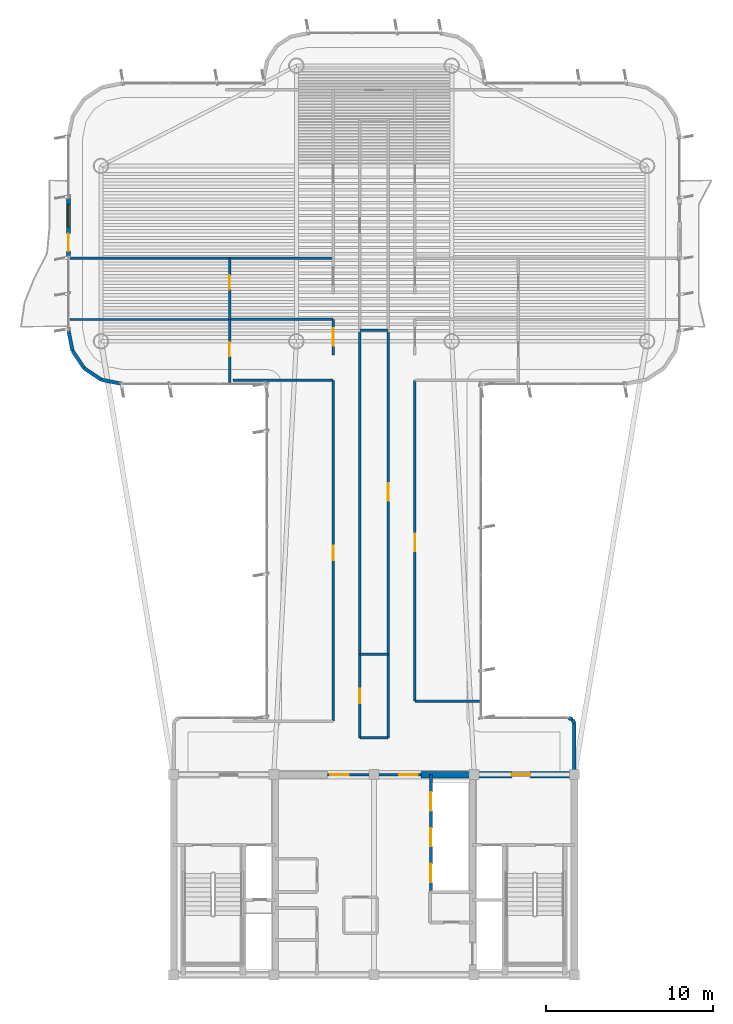
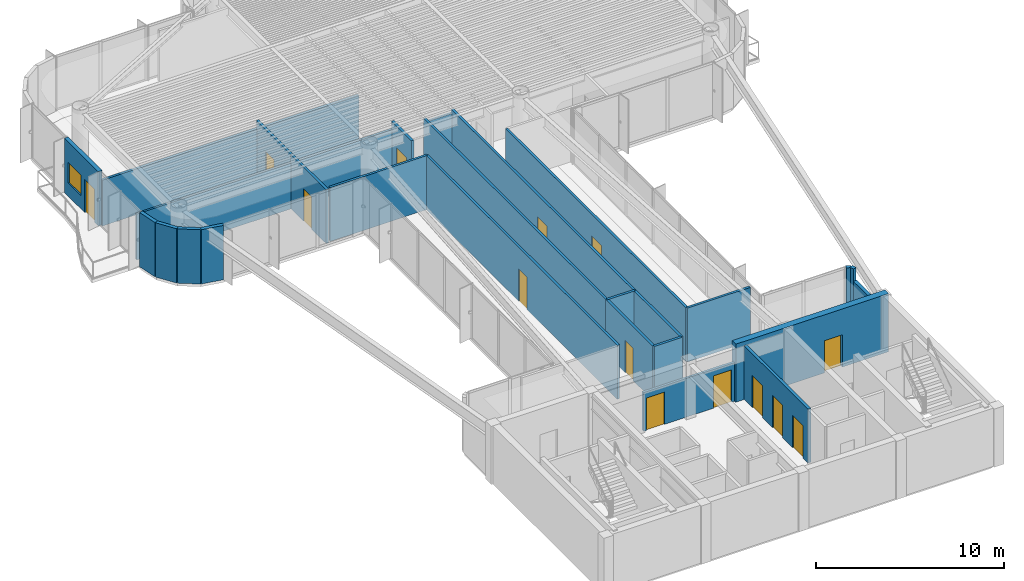
# One storey, part 11 of 15: 28 walls, 14 doors, 1 window, 15 openings.
"""IFC4 building model written with IfcOpenShell, lengths in metres."""

from ifc_helpers import new_model, si_unit, direction, frame, frame_2d, origin, origin_2d, place, context, subcontext, project, spatial, rectangle, extrude, source, transform, mapped, material, layer, layer_set, type_object, element, fill, save


model = new_model("IFC4")

# Units and contexts
model_context = context("Model", 3, precision=1e-05, world=origin(), true_north=direction((0.0, 1.0)))
body_context = subcontext(model_context, "Body", "Model", "MODEL_VIEW")
ifc_project = project(units=[si_unit("LENGTHUNIT", "METRE"), si_unit("AREAUNIT", "SQUARE_METRE"), si_unit("VOLUMEUNIT", "CUBIC_METRE"), si_unit("PLANEANGLEUNIT", "RADIAN"), si_unit("MASSUNIT", "GRAM", prefix="KILO")], contexts=[model_context])

# Site, building, storey
site_placement = place(None, origin())
site = spatial("IfcSite", under=ifc_project, at=site_placement, CompositionType="ELEMENT")
building_placement = place(site_placement, origin())
building = spatial("IfcBuilding", under=site, at=building_placement, Name="Brelvock Crest Care Tower", CompositionType="ELEMENT")
storey_placement = place(building_placement, frame((0.0, 0.0, 245.699951171875)))
storey = spatial("IfcBuildingStorey", under=building, at=storey_placement, Name="L62", CompositionType="ELEMENT", Elevation=245.699951171875)

# Wall, opening, door
ifc_material_1 = material(Name="Concrete S65 (65 MPa)", Category="concrete")
ifc_layer_1 = layer(ifc_material_1, 0.39990234375, Name="WL-CS4")
ifc_layer_set_1 = layer_set([ifc_layer_1], Name="Concrete S65 (65 MPa)")
wall_type_1 = type_object("IfcWallType", Name="WL-CS4", PredefinedType="SHEAR", material=ifc_layer_set_1)
wall_1_placement = place(storey_placement, frame((38.800048828125, 18.0, 0.0), z_axis=(0.0, 0.0, 1.0), x_axis=(1.0, 0.0, 0.0)))
wall_1 = element("IfcWall", 1, at=wall_1_placement, inside=storey, type_object=wall_type_1, Name="L62 Core North-East Shear Wall", PredefinedType="SHEAR", context=body_context, shape_type="SweptSolid", body=[
    extrude(rectangle(XDim=9.39990234375, YDim=0.39990234375, at=frame_2d((4.699951171875, 0.0))), origin(), (0.0, 0.0, 1.0), 3.780029296875),
])
opening_1_placement = place(wall_1_placement, frame((5.449951171875, 0.0, 0.0)))
opening_1 = element("IfcOpeningElement", 2, at=opening_1_placement, cuts=wall_1, Name="Opening FD-1", PredefinedType="OPENING", context=body_context, shape_type="SweptSolid", body=[
    extrude(rectangle(XDim=1.10009765625, YDim=2.10009765625, at=origin_2d()), frame((0.550048828125, 0.2099609375, 1.050048828125), z_axis=(0.0, -1.0, 0.0), x_axis=(1.0, 0.0, 0.0)), (0.0, 0.0, 1.0), 0.419921875),
])
ifc_material_2 = material(Name="Steel Grade 350", Category="steel")
door_type_1 = type_object("IfcDoorType", Name="DR-FFL1", OperationType="NOTDEFINED", PredefinedType="DOOR", material=ifc_material_2)
shared_shape_1 = source(origin(), body_context, "Body", "SweptSolid", [
    extrude(rectangle(XDim=1.10009765625, YDim=2.10009765625, at=origin_2d()), frame((0.550048828125, 0.02490234375, 1.050048828125), z_axis=(0.0, -1.0, 0.0), x_axis=(1.0, 0.0, 0.0)), (0.0, 0.0, 1.0), 0.050048828125),
])
door_1_placement = place(opening_1_placement, origin())
door_1 = element("IfcDoor", 3, at=door_1_placement, inside=storey, type_object=door_type_1, Name="L62 Firefighting Lobby FFL-2 Exit Door", OperationType="SINGLE_SWING_RIGHT", OverallHeight=2.10009765625, OverallWidth=1.10009765625, PredefinedType="DOOR", context=body_context, shape_type="MappedRepresentation", body=[
    mapped(shared_shape_1, transform((0.0, 0.0, 0.0), x_axis=(1.0, 0.0, 0.0), y_axis=(0.0, 1.0, 0.0), z_axis=(0.0, 0.0, 1.0), scale=1.0)),
])
fill(opening_1, door_1)

# Wall, openings, door, window
ifc_material_3 = material(Name="Precast concrete N40 (40 MPa)", Category="concrete")
ifc_layer_2 = layer(ifc_material_3, 0.239990234375, Name="WL-EX1")
ifc_layer_set_2 = layer_set([ifc_layer_2], Name="Precast concrete N40 (40 MPa)")
wall_type_2 = type_object("IfcWallType", Name="WL-EX1", PredefinedType="SOLIDWALL", material=ifc_layer_set_2)
wall_2_placement = place(storey_placement, frame((17.699951171875, 48.949951171875, 0.0), z_axis=(0.0, 0.0, 1.0), x_axis=(0.0, 1.0, 0.0)))
wall_2 = element("IfcWall", 4, at=wall_2_placement, inside=storey, type_object=wall_type_2, Name="L62 Exterior Spandrel Wall WL-BAL-L62-W", PredefinedType="SOLIDWALL", context=body_context, shape_type="SweptSolid", body=[
    extrude(rectangle(XDim=3.60009765625, YDim=0.239990234375, at=frame_2d((1.800048828125, 0.0))), origin(), (0.0, 0.0, 1.0), 3.530029296875),
])
opening_2_placement = place(wall_2_placement, frame((0.39990234375, 0.0, 0.0)))
opening_2 = element("IfcOpeningElement", 5, at=opening_2_placement, cuts=wall_2, Name="Opening BD-1", PredefinedType="OPENING", context=body_context, shape_type="SweptSolid", body=[
    extrude(rectangle(XDim=1.050048828125, YDim=2.14990234375, at=origin_2d()), frame((0.52490234375, 0.1298828125, 1.074951171875), z_axis=(0.0, -1.0, 0.0), x_axis=(1.0, 0.0, 0.0)), (0.0, 0.0, 1.0), 0.260009765625),
])
opening_3_placement = place(wall_2_placement, frame((1.85009765625, 0.0, 0.85009765625)))
opening_3 = element("IfcOpeningElement", 6, at=opening_3_placement, cuts=wall_2, Name="Opening W-01", PredefinedType="OPENING", context=body_context, shape_type="SweptSolid", body=[
    extrude(rectangle(XDim=1.35009765625, YDim=1.35009765625, at=origin_2d()), frame((0.675048828125, 0.1298828125, 0.675048828125), z_axis=(0.0, -1.0, 0.0), x_axis=(1.0, 0.0, 0.0)), (0.0, 0.0, 1.0), 0.260009765625),
])
ifc_material_4 = material(Name="Dark Glass Double Glazed Low-E", Category="glass")
door_type_2 = type_object("IfcDoorType", Name="DR-BAL1", OperationType="NOTDEFINED", PredefinedType="DOOR", material=ifc_material_4)
shared_shape_2 = source(origin(), body_context, "Body", "SweptSolid", [
    extrude(rectangle(XDim=1.050048828125, YDim=2.14990234375, at=origin_2d()), frame((0.52490234375, 0.02490234375, 1.074951171875), z_axis=(0.0, -1.0, 0.0), x_axis=(1.0, 0.0, 0.0)), (0.0, 0.0, 1.0), 0.050048828125),
])
door_2_placement = place(opening_2_placement, origin())
door_2 = element("IfcDoor", 7, at=door_2_placement, inside=storey, type_object=door_type_2, Name="L62 W Wave Balcony Glazed Door", OperationType="SINGLE_SWING_LEFT", OverallHeight=2.14990234375, OverallWidth=1.050048828125, PredefinedType="DOOR", context=body_context, shape_type="MappedRepresentation", body=[
    mapped(shared_shape_2, transform((0.0, 0.0, 0.0), x_axis=(1.0, 0.0, 0.0), y_axis=(0.0, 1.0, 0.0), z_axis=(0.0, 0.0, 1.0), scale=1.0)),
])
fill(opening_2, door_2)
window_type = type_object("IfcWindowType", Name="WN-EX1", PartitioningType="SINGLE_PANEL", PredefinedType="WINDOW", material=ifc_material_4)
shared_shape_3 = source(origin(), body_context, "Body", "SweptSolid", [
    extrude(rectangle(XDim=1.35009765625, YDim=1.35009765625, at=origin_2d()), frame((0.675048828125, 0.030029296875, 0.675048828125), z_axis=(0.0, -1.0, 0.0), x_axis=(1.0, 0.0, 0.0)), (0.0, 0.0, 1.0), 0.06005859375),
])
window_placement = place(opening_3_placement, origin())
window = element("IfcWindow", 8, at=window_placement, inside=storey, type_object=window_type, Name="L62 W Suite Casement Window", OverallHeight=1.35009765625, OverallWidth=1.35009765625, PartitioningType="SINGLE_PANEL", PredefinedType="WINDOW", context=body_context, shape_type="MappedRepresentation", body=[
    mapped(shared_shape_3, transform((0.0, 0.0, 0.0), x_axis=(1.0, 0.0, 0.0), y_axis=(0.0, 1.0, 0.0), z_axis=(0.0, 0.0, 1.0), scale=1.0)),
])
fill(opening_3, window)

# Walls
ifc_layer_3 = layer(ifc_material_3, 0.215087890625, Name="WL-EX2")
ifc_layer_set_3 = layer_set([ifc_layer_3], Name="Precast concrete N40 (40 MPa)")
wall_type_3 = type_object("IfcWallType", Name="WL-EX2", PredefinedType="SOLIDWALL", material=ifc_layer_set_3)
wall_3_placement = place(storey_placement, frame((47.8974609375, 21.297607421875, 0.0), z_axis=(0.0, 0.0, 1.0), x_axis=(0.382673670509, -0.923883575944, 0.0)))
element("IfcWall", 9, at=wall_3_placement, inside=storey, type_object=wall_type_3, Name="L62 Rounded Corner Wall 00", PredefinedType="SOLIDWALL", context=body_context, shape_type="SweptSolid", body=[
    extrude(rectangle(XDim=0.26806640625, YDim=0.215087890625, at=frame_2d((0.134033203125, 0.0))), origin(), (0.0, 0.0, 1.0), 3.530029296875),
])
wall_4_placement = place(storey_placement, frame((48.0, 21.050048828125, 0.0), z_axis=(0.0, 0.0, 1.0), x_axis=(0.0, -1.0, 0.0)))
element("IfcWall", 10, at=wall_4_placement, inside=storey, type_object=wall_type_3, Name="L62 Rounded Corner Wall 01", PredefinedType="SOLIDWALL", context=body_context, shape_type="SweptSolid", body=[
    extrude(rectangle(XDim=2.77001953125, YDim=0.215087890625, at=frame_2d((1.385009765625, 0.0))), origin(), (0.0, 0.0, 1.0), 2.718017578125),
])
for number, where, z_axis, x_axis, name in (
    (11, (20.89990234375, 41.39990234375, 0.0), (0.0, 0.0, 1.0), (-0.980775717779, 0.195138390419, 0.0), "L62 Rounded Corner Wall 13"),
    (12, (19.67529296875, 41.6435546875, 0.0), (0.0, 0.0, 1.0), (-0.831387912822, 0.555692485475, 0.0), "L62 Rounded Corner Wall 14"),
    (13, (18.63720703125, 42.33740234375, 0.0), (0.0, 0.0, 1.0), (-0.555557312883, 0.831478245117, 0.0), "L62 Rounded Corner Wall 15"),
    (14, (17.943603515625, 43.37548828125, 0.0), (0.0, 0.0, 1.0), (-0.195138390419, 0.980775717779, 0.0), "L62 Rounded Corner Wall 16"),
):
    element("IfcWall", number, at=place(storey_placement, frame(where, z_axis=z_axis, x_axis=x_axis)), inside=storey, type_object=wall_type_3, Name=name, PredefinedType="SOLIDWALL", context=body_context, shape_type="SweptSolid", body=[
        extrude(rectangle(XDim=1.24853515625, YDim=0.215087890625, at=frame_2d((0.624267578125, 0.0))), origin(), (0.0, 0.0, 1.0), 3.530029296875),
    ])
wall_5_placement = place(storey_placement, frame((47.64990234375, 21.39990234375, 0.0), z_axis=(0.0, 0.0, 1.0), x_axis=(0.924205486139, -0.381895560841, 0.0)))
element("IfcWall", 15, at=wall_5_placement, inside=storey, type_object=wall_type_3, Name="L62 Rounded Corner Wall 47", PredefinedType="SOLIDWALL", context=body_context, shape_type="SweptSolid", body=[
    extrude(rectangle(XDim=0.267822265625, YDim=0.215087890625, at=frame_2d((0.1337890625, 0.0))), origin(), (0.0, 0.0, 1.0), 3.530029296875),
])

# Wall, openings, doors
ifc_material_5 = material(Name="Masonry Blockwork Acoustic Partition", Category="masonry")
ifc_layer_4 = layer(ifc_material_5, 0.14990234375, Name="WL-INT1")
ifc_layer_set_4 = layer_set([ifc_layer_4], Name="Masonry Blockwork Acoustic Partition")
wall_type_4 = type_object("IfcWallType", Name="WL-INT1", PredefinedType="PARTITIONING", material=ifc_layer_set_4)
wall_6_placement = place(storey_placement, frame((33.199951171875, 18.0, 0.0), z_axis=(0.0, 0.0, 1.0), x_axis=(1.0, 0.0, 0.0)))
wall_6 = element("IfcWall", 16, at=wall_6_placement, inside=storey, type_object=wall_type_4, Name="L62 Interior Wall WL-CORE-NPORT-L62", PredefinedType="PARTITIONING", context=body_context, shape_type="SweptSolid", body=[
    extrude(rectangle(XDim=5.60009765625, YDim=0.14990234375, at=frame_2d((2.800048828125, 0.0))), origin(), (0.0, 0.0, 1.0), 2.51513671875),
])
opening_4_placement = place(wall_6_placement, frame((0.18994140625, 0.0, 0.0)))
opening_4 = element("IfcOpeningElement", 17, at=opening_4_placement, cuts=wall_6, Name="Opening FD-1", PredefinedType="OPENING", context=body_context, shape_type="SweptSolid", body=[
    extrude(rectangle(XDim=1.10009765625, YDim=2.10009765625, at=origin_2d()), frame((0.550048828125, 0.0849609375, 1.050048828125), z_axis=(0.0, -1.0, 0.0), x_axis=(1.0, 0.0, 0.0)), (0.0, 0.0, 1.0), 0.169921875),
])
opening_5_placement = place(wall_6_placement, frame((4.31005859375, 0.0, 0.0)))
opening_5 = element("IfcOpeningElement", 18, at=opening_5_placement, cuts=wall_6, Name="Opening FD-1", PredefinedType="OPENING", context=body_context, shape_type="SweptSolid", body=[
    extrude(rectangle(XDim=1.10009765625, YDim=2.10009765625, at=origin_2d()), frame((0.550048828125, 0.0849609375, 1.050048828125), z_axis=(0.0, -1.0, 0.0), x_axis=(1.0, 0.0, 0.0)), (0.0, 0.0, 1.0), 0.169921875),
])
door_3_placement = place(opening_4_placement, origin())
door_3 = element("IfcDoor", 19, at=door_3_placement, inside=storey, type_object=door_type_1, Name="L62 Lift Lobby North Smoke Door West", OperationType="SINGLE_SWING_LEFT", OverallHeight=2.10009765625, OverallWidth=1.10009765625, PredefinedType="DOOR", context=body_context, shape_type="MappedRepresentation", body=[
    mapped(shared_shape_1, transform((0.0, 0.0, 0.0), x_axis=(1.0, 0.0, 0.0), y_axis=(0.0, 1.0, 0.0), z_axis=(0.0, 0.0, 1.0), scale=1.0)),
])
fill(opening_4, door_3)
door_4_placement = place(opening_5_placement, origin())
door_4 = element("IfcDoor", 20, at=door_4_placement, inside=storey, type_object=door_type_1, Name="L62 Lift Lobby North Smoke Door East", OperationType="SINGLE_SWING_RIGHT", OverallHeight=2.10009765625, OverallWidth=1.10009765625, PredefinedType="DOOR", context=body_context, shape_type="MappedRepresentation", body=[
    mapped(shared_shape_1, transform((0.0, 0.0, 0.0), x_axis=(1.0, 0.0, 0.0), y_axis=(0.0, 1.0, 0.0), z_axis=(0.0, 0.0, 1.0), scale=1.0)),
])
fill(opening_5, door_4)

# Walls
wall_7_placement = place(storey_placement, frame((38.449951171875, 22.39990234375, 0.0), z_axis=(0.0, 0.0, 1.0), x_axis=(1.0, 0.0, 0.0)))
element("IfcWall", 21, at=wall_7_placement, inside=storey, type_object=wall_type_4, Name="L62 Interior Wall WL-BX-L62-THRE-S", PredefinedType="PARTITIONING", context=body_context, shape_type="SweptSolid", body=[
    extrude(rectangle(XDim=3.873291015625, YDim=0.14990234375, at=frame_2d((1.9365234375, 0.0))), origin(), (0.0, 0.0, 1.0), 3.5),
])
wall_8_placement = place(storey_placement, frame((27.557861328125, 41.60009765625, 0.0), z_axis=(0.0, 0.0, 1.0), x_axis=(1.0, 0.0, 0.0)))
element("IfcWall", 22, at=wall_8_placement, inside=storey, type_object=wall_type_4, Name="L62 Interior Wall WL-BX-L62-CS-WR1A-S", PredefinedType="PARTITIONING", context=body_context, shape_type="SweptSolid", body=[
    extrude(rectangle(XDim=5.9921875, YDim=0.14990234375, at=frame_2d((2.99609375, 0.0))), origin(), (0.0, 0.0, 1.0), 3.5),
])
wall_9_placement = place(storey_placement, frame((35.14990234375, 44.6201171875, 0.0), z_axis=(0.0, 0.0, 1.0), x_axis=(1.0, 0.0, 0.0)))
element("IfcWall", 23, at=wall_9_placement, inside=storey, type_object=wall_type_4, Name="L62 Interior Wall WL-BX-L62-ISKT-S", PredefinedType="PARTITIONING", context=body_context, shape_type="SweptSolid", body=[
    extrude(rectangle(XDim=1.7001953125, YDim=0.14990234375, at=frame_2d((0.85009765625, 0.0))), origin(), (0.0, 0.0, 1.0), 3.259033203125),
])
wall_10_placement = place(storey_placement, frame((27.35009765625, 45.25390625, 0.0), z_axis=(0.0, 0.0, 1.0), x_axis=(1.0, 0.0, 0.0)))
element("IfcWall", 24, at=wall_10_placement, inside=storey, type_object=wall_type_4, Name="L62 Interior Wall WL-BX-L62-CS-WR1A-N", PredefinedType="PARTITIONING", context=body_context, shape_type="SweptSolid", body=[
    extrude(rectangle(XDim=6.199951171875, YDim=0.14990234375, at=frame_2d((3.10009765625, 0.0))), origin(), (0.0, 0.0, 1.0), 2.98193359375),
])
wall_11_placement = place(storey_placement, frame((17.780029296875, 48.907958984375, 0.0), z_axis=(0.0, 0.0, 1.0), x_axis=(1.0, 0.0, 0.0)))
element("IfcWall", 25, at=wall_11_placement, inside=storey, type_object=wall_type_4, Name="L62 Interior Wall WL-BX-L62-WRC-S", PredefinedType="PARTITIONING", context=body_context, shape_type="SweptSolid", body=[
    extrude(rectangle(XDim=15.77001953125, YDim=0.14990234375, at=frame_2d((7.885009765625, 0.0))), origin(), (0.0, 0.0, 1.0), 2.98193359375),
])

# Wall, opening, door
wall_12_placement = place(storey_placement, frame((27.35009765625, 41.47998046875, 0.0), z_axis=(0.0, 0.0, 1.0), x_axis=(0.0, 1.0, 0.0)))
wall_12 = element("IfcWall", 26, at=wall_12_placement, inside=storey, type_object=wall_type_4, Name="L62 Interior Wall WL-RM-L62-WR1AS", PredefinedType="PARTITIONING", context=body_context, shape_type="SweptSolid", body=[
    extrude(rectangle(XDim=3.77392578125, YDim=0.14990234375, at=frame_2d((1.886962890625, 0.0))), origin(), (0.0, 0.0, 1.0), 3.5),
])
opening_6_placement = place(wall_12_placement, frame((1.56005859375, 0.0, 0.0)))
opening_6 = element("IfcOpeningElement", 27, at=opening_6_placement, cuts=wall_12, Name="Opening ID-1", PredefinedType="OPENING", context=body_context, shape_type="SweptSolid", body=[
    extrude(rectangle(XDim=0.860107421875, YDim=2.10009765625, at=origin_2d()), frame((0.43017578125, 0.0849609375, 1.050048828125), z_axis=(0.0, -1.0, 0.0), x_axis=(1.0, 0.0, 0.0)), (0.0, 0.0, 1.0), 0.169921875),
])
ifc_material_6 = material(Name="Engineered Hardwood Timber", Category="wood")
door_type_3 = type_object("IfcDoorType", Name="DR-INT1", OperationType="NOTDEFINED", PredefinedType="DOOR", material=ifc_material_6)
shared_shape_4 = source(origin(), body_context, "Body", "SweptSolid", [
    extrude(rectangle(XDim=0.860107421875, YDim=2.10009765625, at=origin_2d()), frame((0.43017578125, 0.02490234375, 1.050048828125), z_axis=(0.0, -1.0, 0.0), x_axis=(1.0, 0.0, 0.0)), (0.0, 0.0, 1.0), 0.050048828125),
])
door_5_placement = place(opening_6_placement, origin())
door_5 = element("IfcDoor", 28, at=door_5_placement, inside=storey, type_object=door_type_3, Name="L62 Rehab Recovery Mobility Store Door WR1AS", OperationType="SINGLE_SWING_LEFT", OverallHeight=2.10009765625, OverallWidth=0.860107421875, PredefinedType="DOOR", context=body_context, shape_type="MappedRepresentation", body=[
    mapped(shared_shape_4, transform((0.0, 0.0, 0.0), x_axis=(1.0, 0.0, 0.0), y_axis=(0.0, 1.0, 0.0), z_axis=(0.0, 0.0, 1.0), scale=1.0)),
])
fill(opening_6, door_5)

wall_13_placement = place(storey_placement, frame((27.35009765625, 45.25390625, 0.0), z_axis=(0.0, 0.0, 1.0), x_axis=(0.0, 1.0, 0.0)))
wall_13 = element("IfcWall", 29, at=wall_13_placement, inside=storey, type_object=wall_type_4, Name="L62 Interior Wall WL-RM-L62-WR1BS", PredefinedType="PARTITIONING", context=body_context, shape_type="SweptSolid", body=[
    extrude(rectangle(XDim=3.654052734375, YDim=0.14990234375, at=frame_2d((1.8271484375, 0.0))), origin(), (0.0, 0.0, 1.0), 3.5),
])
opening_7_placement = place(wall_13_placement, frame((1.785888671875, 0.0, 0.0)))
opening_7 = element("IfcOpeningElement", 30, at=opening_7_placement, cuts=wall_13, Name="Opening ID-1", PredefinedType="OPENING", context=body_context, shape_type="SweptSolid", body=[
    extrude(rectangle(XDim=0.860107421875, YDim=2.10009765625, at=origin_2d()), frame((0.43017578125, 0.0849609375, 1.050048828125), z_axis=(0.0, -1.0, 0.0), x_axis=(1.0, 0.0, 0.0)), (0.0, 0.0, 1.0), 0.169921875),
])
door_6_placement = place(opening_7_placement, origin())
door_6 = element("IfcDoor", 31, at=door_6_placement, inside=storey, type_object=door_type_3, Name="L62 Rehab Recovery Mobility Store Door WR1BS", OperationType="SINGLE_SWING_LEFT", OverallHeight=2.10009765625, OverallWidth=0.860107421875, PredefinedType="DOOR", context=body_context, shape_type="MappedRepresentation", body=[
    mapped(shared_shape_4, transform((0.0, 0.0, 0.0), x_axis=(1.0, 0.0, 0.0), y_axis=(0.0, 1.0, 0.0), z_axis=(0.0, 0.0, 1.0), scale=1.0)),
])
fill(opening_7, door_6)

wall_14_placement = place(storey_placement, frame((33.550048828125, 21.199951171875, 0.0), z_axis=(0.0, 0.0, 1.0), x_axis=(0.0, 1.0, 0.0)))
wall_14 = element("IfcWall", 32, at=wall_14_placement, inside=storey, type_object=wall_type_4, Name="L62 Interior Wall WL-RM-L62-THRW", PredefinedType="PARTITIONING", context=body_context, shape_type="SweptSolid", body=[
    extrude(rectangle(XDim=20.400146484375, YDim=0.14990234375, at=frame_2d((10.2001953125, 0.0))), origin(), (0.0, 0.0, 1.0), 3.5),
])
opening_8_placement = place(wall_14_placement, frame((9.639892578125, 0.0, 0.0)))
opening_8 = element("IfcOpeningElement", 33, at=opening_8_placement, cuts=wall_14, Name="Opening ID-1", PredefinedType="OPENING", context=body_context, shape_type="SweptSolid", body=[
    extrude(rectangle(XDim=0.860107421875, YDim=2.10009765625, at=origin_2d()), frame((0.43017578125, 0.0849609375, 1.050048828125), z_axis=(0.0, -1.0, 0.0), x_axis=(1.0, 0.0, 0.0)), (0.0, 0.0, 1.0), 0.169921875),
])
door_7_placement = place(opening_8_placement, origin())
door_7 = element("IfcDoor", 34, at=door_7_placement, inside=storey, type_object=door_type_3, Name="L62 Quiet Family Consultation Room Door THRW", OperationType="SINGLE_SWING_LEFT", OverallHeight=2.10009765625, OverallWidth=0.860107421875, PredefinedType="DOOR", context=body_context, shape_type="MappedRepresentation", body=[
    mapped(shared_shape_4, transform((0.0, 0.0, 0.0), x_axis=(1.0, 0.0, 0.0), y_axis=(0.0, 1.0, 0.0), z_axis=(0.0, 0.0, 1.0), scale=1.0)),
])
fill(opening_8, door_7)

wall_15_placement = place(storey_placement, frame((33.550048828125, 43.135009765625, 0.0), z_axis=(0.0, 0.0, 1.0), x_axis=(0.0, 1.0, 0.0)))
wall_15 = element("IfcWall", 35, at=wall_15_placement, inside=storey, type_object=wall_type_4, Name="L62 Interior Wall WL-CENT-L62-WR1A", PredefinedType="PARTITIONING", context=body_context, shape_type="SweptSolid", body=[
    extrude(rectangle(XDim=2.118896484375, YDim=0.14990234375, at=frame_2d((1.0595703125, 0.0))), origin(), (0.0, 0.0, 1.0), 3.5),
])
opening_9_placement = place(wall_15_placement, frame((0.5390625, 0.0, 0.0)))
opening_9 = element("IfcOpeningElement", 36, at=opening_9_placement, cuts=wall_15, Name="Opening CD-1", PredefinedType="OPENING", context=body_context, shape_type="SweptSolid", body=[
    extrude(rectangle(XDim=1.050048828125, YDim=2.10009765625, at=origin_2d()), frame((0.52490234375, 0.0849609375, 1.050048828125), z_axis=(0.0, -1.0, 0.0), x_axis=(1.0, 0.0, 0.0)), (0.0, 0.0, 1.0), 0.169921875),
])
door_type_4 = type_object("IfcDoorType", Name="DR-CARE1", OperationType="NOTDEFINED", PredefinedType="DOOR", material=ifc_material_6)
shared_shape_5 = source(origin(), body_context, "Body", "SweptSolid", [
    extrude(rectangle(XDim=1.050048828125, YDim=2.10009765625, at=origin_2d()), frame((0.52490234375, 0.02490234375, 1.050048828125), z_axis=(0.0, -1.0, 0.0), x_axis=(1.0, 0.0, 0.0)), (0.0, 0.0, 1.0), 0.050048828125),
])
door_8_placement = place(opening_9_placement, origin())
door_8 = element("IfcDoor", 37, at=door_8_placement, inside=storey, type_object=door_type_4, Name="L62 Care Suite Door WR1A", OperationType="SINGLE_SWING_LEFT", OverallHeight=2.10009765625, OverallWidth=1.050048828125, PredefinedType="DOOR", context=body_context, shape_type="MappedRepresentation", body=[
    mapped(shared_shape_5, transform((0.0, 0.0, 0.0), x_axis=(1.0, 0.0, 0.0), y_axis=(0.0, 1.0, 0.0), z_axis=(0.0, 0.0, 1.0), scale=1.0)),
])
fill(opening_9, door_8)

# Wall
wall_16_placement = place(storey_placement, frame((35.14990234375, 25.199951171875, 0.0), z_axis=(0.0, 0.0, 1.0), x_axis=(0.0, 1.0, 0.0)))
element("IfcWall", 38, at=wall_16_placement, inside=storey, type_object=wall_type_4, Name="L62 Interior Wall WL-BX-L62-ISNS-W", PredefinedType="PARTITIONING", context=body_context, shape_type="SweptSolid", body=[
    extrude(rectangle(XDim=19.420166015625, YDim=0.14990234375, at=frame_2d((9.7099609375, 0.0))), origin(), (0.0, 0.0, 1.0), 3.5),
])

# Wall, opening, door
wall_17_placement = place(storey_placement, frame((36.85009765625, 25.199951171875, 0.0), z_axis=(0.0, 0.0, 1.0), x_axis=(0.0, 1.0, 0.0)))
wall_17 = element("IfcWall", 39, at=wall_17_placement, inside=storey, type_object=wall_type_4, Name="L62 Interior Wall WL-RM-L62-ISNS", PredefinedType="PARTITIONING", context=body_context, shape_type="SweptSolid", body=[
    extrude(rectangle(XDim=19.420166015625, YDim=0.14990234375, at=frame_2d((9.7099609375, 0.0))), origin(), (0.0, 0.0, 1.0), 3.5),
])
opening_10_placement = place(wall_17_placement, frame((9.18505859375, 0.0, 0.0)))
opening_10 = element("IfcOpeningElement", 40, at=opening_10_placement, cuts=wall_17, Name="Opening CLD-1", PredefinedType="OPENING", context=body_context, shape_type="SweptSolid", body=[
    extrude(rectangle(XDim=1.050048828125, YDim=2.10009765625, at=origin_2d()), frame((0.52490234375, 0.0849609375, 1.050048828125), z_axis=(0.0, -1.0, 0.0), x_axis=(1.0, 0.0, 0.0)), (0.0, 0.0, 1.0), 0.169921875),
])
door_type_5 = type_object("IfcDoorType", Name="DR-CLN1", OperationType="NOTDEFINED", PredefinedType="DOOR", material=ifc_material_6)
shared_shape_6 = source(origin(), body_context, "Body", "SweptSolid", [
    extrude(rectangle(XDim=1.050048828125, YDim=2.10009765625, at=origin_2d()), frame((0.52490234375, 0.02490234375, 1.050048828125), z_axis=(0.0, -1.0, 0.0), x_axis=(1.0, 0.0, 0.0)), (0.0, 0.0, 1.0), 0.050048828125),
])
door_9_placement = place(opening_10_placement, origin())
door_9 = element("IfcDoor", 41, at=door_9_placement, inside=storey, type_object=door_type_5, Name="L62 Care Concierge and Triage Station Door ISNS", OperationType="SINGLE_SWING_LEFT", OverallHeight=2.10009765625, OverallWidth=1.050048828125, PredefinedType="DOOR", context=body_context, shape_type="MappedRepresentation", body=[
    mapped(shared_shape_6, transform((0.0, 0.0, 0.0), x_axis=(1.0, 0.0, 0.0), y_axis=(0.0, 1.0, 0.0), z_axis=(0.0, 0.0, 1.0), scale=1.0)),
])
fill(opening_10, door_9)

wall_18_placement = place(storey_placement, frame((38.449951171875, 22.39990234375, 0.0), z_axis=(0.0, 0.0, 1.0), x_axis=(0.0, 1.0, 0.0)))
wall_18 = element("IfcWall", 42, at=wall_18_placement, inside=storey, type_object=wall_type_4, Name="L62 Interior Wall WL-RM-L62-THRE", PredefinedType="PARTITIONING", context=body_context, shape_type="SweptSolid", body=[
    extrude(rectangle(XDim=19.2001953125, YDim=0.14990234375, at=frame_2d((9.60009765625, 0.0))), origin(), (0.0, 0.0, 1.0), 3.5),
])
opening_11_placement = place(wall_18_placement, frame((8.97509765625, 0.0, 0.0)))
opening_11 = element("IfcOpeningElement", 43, at=opening_11_placement, cuts=wall_18, Name="Opening CLD-1", PredefinedType="OPENING", context=body_context, shape_type="SweptSolid", body=[
    extrude(rectangle(XDim=1.050048828125, YDim=2.10009765625, at=origin_2d()), frame((0.52490234375, 0.0849609375, 1.050048828125), z_axis=(0.0, -1.0, 0.0), x_axis=(1.0, 0.0, 0.0)), (0.0, 0.0, 1.0), 0.169921875),
])
door_10_placement = place(opening_11_placement, origin())
door_10 = element("IfcDoor", 44, at=door_10_placement, inside=storey, type_object=door_type_5, Name="L62 Allied Health Therapy Room Door THRE", OperationType="SINGLE_SWING_LEFT", OverallHeight=2.10009765625, OverallWidth=1.050048828125, PredefinedType="DOOR", context=body_context, shape_type="MappedRepresentation", body=[
    mapped(shared_shape_6, transform((0.0, 0.0, 0.0), x_axis=(1.0, 0.0, 0.0), y_axis=(0.0, 1.0, 0.0), z_axis=(0.0, 0.0, 1.0), scale=1.0)),
])
fill(opening_11, door_10)

# Walls
ifc_material_7 = material(Name="Gypsum Plasterboard Partition", Category="gypsum")
ifc_layer_5 = layer(ifc_material_7, 0.1201171875, Name="WL-INT2")
ifc_layer_set_5 = layer_set([ifc_layer_5], Name="Gypsum Plasterboard Partition")
wall_type_5 = type_object("IfcWallType", Name="WL-INT2", PredefinedType="PARTITIONING", material=ifc_layer_set_5)
wall_19_placement = place(storey_placement, frame((17.780029296875, 45.25390625, 0.0), z_axis=(0.0, 0.0, 1.0), x_axis=(1.0, 0.0, 0.0)))
element("IfcWall", 45, at=wall_19_placement, inside=storey, type_object=wall_type_5, Name="L62 Interior Wall WL-BX-L62-WR1AS-N", PredefinedType="PARTITIONING", context=body_context, shape_type="SweptSolid", body=[
    extrude(rectangle(XDim=9.570068359375, YDim=0.1201171875, at=frame_2d((4.78515625, 0.0))), origin(), (0.0, 0.0, 1.0), 2.98193359375),
])
ifc_layer_6 = layer(ifc_material_7, 0.159912109375, Name="WL-PLM1")
ifc_layer_set_6 = layer_set([ifc_layer_6], Name="Gypsum Plasterboard Partition")
wall_type_6 = type_object("IfcWallType", Name="WL-PLM1", PredefinedType="PLUMBINGWALL", material=ifc_layer_set_6)
for number, where, z_axis, x_axis, name in (
    (46, (35.14990234375, 20.199951171875, 0.0), (0.0, 0.0, 1.0), (1.0, 0.0, 0.0), "L62 Interior Wall WL-BX-L62-ISWC-S"),
    (47, (35.14990234375, 25.199951171875, 0.0), (0.0, 0.0, 1.0), (1.0, 0.0, 0.0), "L62 Interior Wall WL-BX-L62-ISNS-S"),
):
    element("IfcWall", number, at=place(storey_placement, frame(where, z_axis=z_axis, x_axis=x_axis)), inside=storey, type_object=wall_type_6, Name=name, PredefinedType="PLUMBINGWALL", context=body_context, shape_type="SweptSolid", body=[
        extrude(rectangle(XDim=1.7001953125, YDim=0.159912109375, at=frame_2d((0.85009765625, 0.0))), origin(), (0.0, 0.0, 1.0), 3.5),
    ])

# Wall, opening, door
wall_20_placement = place(storey_placement, frame((35.14990234375, 20.199951171875, 0.0), z_axis=(0.0, 0.0, 1.0), x_axis=(0.0, 1.0, 0.0)))
wall_20 = element("IfcWall", 48, at=wall_20_placement, inside=storey, type_object=wall_type_6, Name="L62 Interior Wall WL-RM-L62-ISWC", PredefinedType="PLUMBINGWALL", context=body_context, shape_type="SweptSolid", body=[
    extrude(rectangle(XDim=5.0, YDim=0.159912109375, at=frame_2d((2.5, 0.0))), origin(), (0.0, 0.0, 1.0), 3.5),
])
opening_12_placement = place(wall_20_placement, frame((2.070068359375, 0.0, 0.0)))
opening_12 = element("IfcOpeningElement", 49, at=opening_12_placement, cuts=wall_20, Name="Opening WD-1", PredefinedType="OPENING", context=body_context, shape_type="SweptSolid", body=[
    extrude(rectangle(XDim=0.860107421875, YDim=2.10009765625, at=origin_2d()), frame((0.43017578125, 0.08984375, 1.050048828125), z_axis=(0.0, -1.0, 0.0), x_axis=(1.0, 0.0, 0.0)), (0.0, 0.0, 1.0), 0.179931640625),
])
door_type_6 = type_object("IfcDoorType", Name="DR-WC1", OperationType="NOTDEFINED", PredefinedType="DOOR", material=ifc_material_6)
shared_shape_7 = source(origin(), body_context, "Body", "SweptSolid", [
    extrude(rectangle(XDim=0.860107421875, YDim=2.10009765625, at=origin_2d()), frame((0.43017578125, 0.02490234375, 1.050048828125), z_axis=(0.0, -1.0, 0.0), x_axis=(1.0, 0.0, 0.0)), (0.0, 0.0, 1.0), 0.050048828125),
])
door_11_placement = place(opening_12_placement, origin())
door_11 = element("IfcDoor", 50, at=door_11_placement, inside=storey, type_object=door_type_6, Name="L62 High-Zone Accessible WC Door ISWC", OperationType="SINGLE_SWING_LEFT", OverallHeight=2.10009765625, OverallWidth=0.860107421875, PredefinedType="DOOR", context=body_context, shape_type="MappedRepresentation", body=[
    mapped(shared_shape_7, transform((0.0, 0.0, 0.0), x_axis=(1.0, 0.0, 0.0), y_axis=(0.0, 1.0, 0.0), z_axis=(0.0, 0.0, 1.0), scale=1.0)),
])
fill(opening_12, door_11)

# Wall
wall_21_placement = place(storey_placement, frame((36.85009765625, 20.199951171875, 0.0), z_axis=(0.0, 0.0, 1.0), x_axis=(0.0, 1.0, 0.0)))
element("IfcWall", 51, at=wall_21_placement, inside=storey, type_object=wall_type_6, Name="L62 Interior Wall WL-BX-L62-ISWC-E", PredefinedType="PLUMBINGWALL", context=body_context, shape_type="SweptSolid", body=[
    extrude(rectangle(XDim=5.0, YDim=0.159912109375, at=frame_2d((2.5, 0.0))), origin(), (0.0, 0.0, 1.0), 3.5),
])

# Wall, openings, doors
ifc_layer_7 = layer(ifc_material_5, 0.179931640625, Name="WL-SHF1")
ifc_layer_set_7 = layer_set([ifc_layer_7], Name="Masonry Blockwork Acoustic Partition")
wall_type_7 = type_object("IfcWallType", Name="WL-SHF1", PredefinedType="PARTITIONING", material=ifc_layer_set_7)
wall_22_placement = place(storey_placement, frame((39.39990234375, 11.0, 0.0), z_axis=(0.0, 0.0, 1.0), x_axis=(0.0, 1.0, 0.0)))
wall_22 = element("IfcWall", 52, at=wall_22_placement, inside=storey, type_object=wall_type_7, Name="L62 Interior Wall WL-PLH-BANK-L62", PredefinedType="PARTITIONING", context=body_context, shape_type="SweptSolid", body=[
    extrude(rectangle(XDim=7.0, YDim=0.179931640625, at=frame_2d((3.5, 0.0))), origin(), (0.0, 0.0, 1.0), 3.5),
])
opening_13_placement = place(wall_22_placement, frame((0.550048828125, 0.0, 0.0)))
opening_13 = element("IfcOpeningElement", 53, at=opening_13_placement, cuts=wall_22, Name="Opening LD", PredefinedType="OPENING", context=body_context, shape_type="SweptSolid", body=[
    extrude(rectangle(XDim=1.10009765625, YDim=2.10009765625, at=origin_2d()), frame((0.550048828125, 0.10009765625, 1.050048828125), z_axis=(0.0, -1.0, 0.0), x_axis=(1.0, 0.0, 0.0)), (0.0, 0.0, 1.0), 0.199951171875),
])
opening_14_placement = place(wall_22_placement, frame((2.699951171875, 0.0, 0.0)))
opening_14 = element("IfcOpeningElement", 54, at=opening_14_placement, cuts=wall_22, Name="Opening LD", PredefinedType="OPENING", context=body_context, shape_type="SweptSolid", body=[
    extrude(rectangle(XDim=1.10009765625, YDim=2.10009765625, at=origin_2d()), frame((0.550048828125, 0.10009765625, 1.050048828125), z_axis=(0.0, -1.0, 0.0), x_axis=(1.0, 0.0, 0.0)), (0.0, 0.0, 1.0), 0.199951171875),
])
opening_15_placement = place(wall_22_placement, frame((4.85009765625, 0.0, 0.0)))
opening_15 = element("IfcOpeningElement", 55, at=opening_15_placement, cuts=wall_22, Name="Opening LD", PredefinedType="OPENING", context=body_context, shape_type="SweptSolid", body=[
    extrude(rectangle(XDim=1.10009765625, YDim=2.10009765625, at=origin_2d()), frame((0.550048828125, 0.10009765625, 1.050048828125), z_axis=(0.0, -1.0, 0.0), x_axis=(1.0, 0.0, 0.0)), (0.0, 0.0, 1.0), 0.199951171875),
])
door_type_7 = type_object("IfcDoorType", Name="DR-LD1", OperationType="NOTDEFINED", PredefinedType="DOOR", material=ifc_material_2)
shared_shape_8 = source(origin(), body_context, "Body", "SweptSolid", [
    extrude(rectangle(XDim=1.10009765625, YDim=2.10009765625, at=origin_2d()), frame((0.550048828125, 0.02490234375, 1.050048828125), z_axis=(0.0, -1.0, 0.0), x_axis=(1.0, 0.0, 0.0)), (0.0, 0.0, 1.0), 0.050048828125),
])
door_12_placement = place(opening_13_placement, origin())
door_12 = element("IfcDoor", 56, at=door_12_placement, inside=storey, type_object=door_type_7, Name="L62 Lift PL-H1 Landing Door", OperationType="SLIDING_TO_RIGHT", OverallHeight=2.10009765625, OverallWidth=1.10009765625, PredefinedType="DOOR", context=body_context, shape_type="MappedRepresentation", body=[
    mapped(shared_shape_8, transform((0.0, 0.0, 0.0), x_axis=(1.0, 0.0, 0.0), y_axis=(0.0, 1.0, 0.0), z_axis=(0.0, 0.0, 1.0), scale=1.0)),
])
fill(opening_13, door_12)
door_13_placement = place(opening_14_placement, origin())
door_13 = element("IfcDoor", 57, at=door_13_placement, inside=storey, type_object=door_type_7, Name="L62 Lift PL-H2 Landing Door", OperationType="SLIDING_TO_RIGHT", OverallHeight=2.10009765625, OverallWidth=1.10009765625, PredefinedType="DOOR", context=body_context, shape_type="MappedRepresentation", body=[
    mapped(shared_shape_8, transform((0.0, 0.0, 0.0), x_axis=(1.0, 0.0, 0.0), y_axis=(0.0, 1.0, 0.0), z_axis=(0.0, 0.0, 1.0), scale=1.0)),
])
fill(opening_14, door_13)
door_14_placement = place(opening_15_placement, origin())
door_14 = element("IfcDoor", 58, at=door_14_placement, inside=storey, type_object=door_type_7, Name="L62 Lift PL-H3 Landing Door", OperationType="SLIDING_TO_RIGHT", OverallHeight=2.10009765625, OverallWidth=1.10009765625, PredefinedType="DOOR", context=body_context, shape_type="MappedRepresentation", body=[
    mapped(shared_shape_8, transform((0.0, 0.0, 0.0), x_axis=(1.0, 0.0, 0.0), y_axis=(0.0, 1.0, 0.0), z_axis=(0.0, 0.0, 1.0), scale=1.0)),
])
fill(opening_15, door_14)

save(model, "model.ifc")
